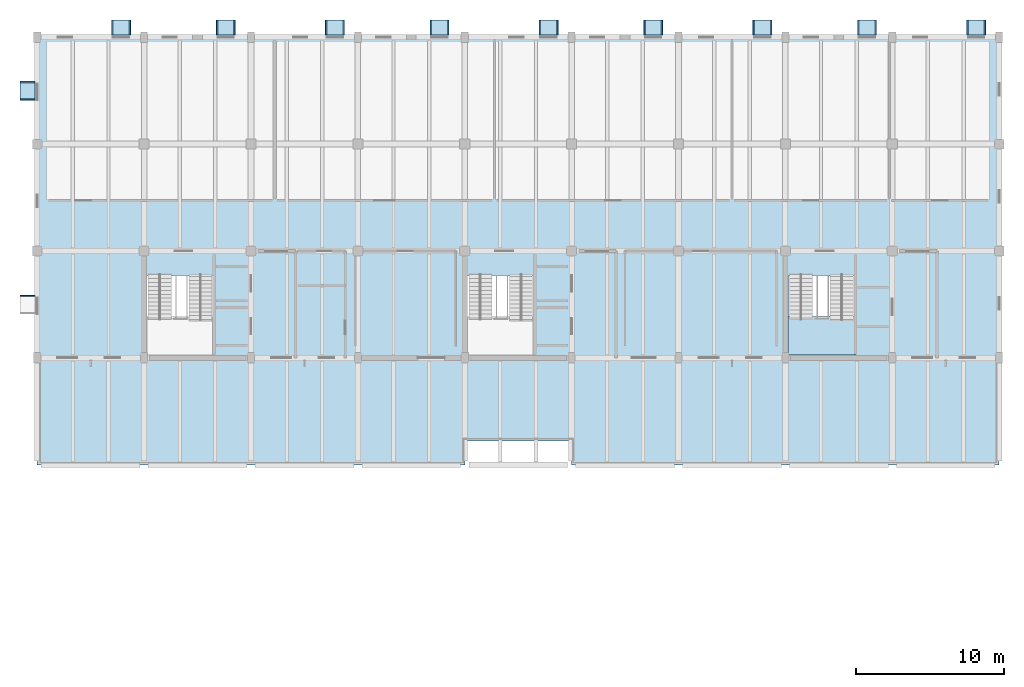
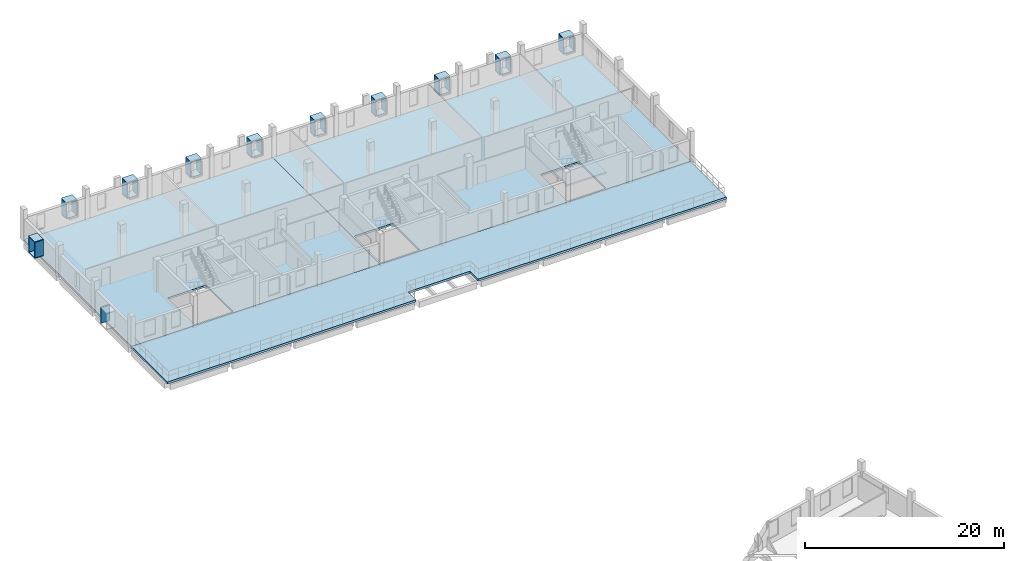
# One storey, part 5 of 14: 41 plates, 4 slabs, 1 element without a shape of its own.
"""IFC4 building model written with IfcOpenShell, lengths in metres."""

from ifc_helpers import new_model, si_unit, direction, frame, origin, origin_2d, place, context, subcontext, project, spatial, polyline, rectangle, outline, extrude, material, layer, layer_set, type_object, element, aggregate, save


model = new_model("IFC4")

# Units and contexts
model_context = context("Model", 3, precision=1e-05, world=origin(), true_north=direction((0.0, 1.0)))
body_context = subcontext(model_context, "Body", "Model", "MODEL_VIEW")
ifc_project = project(units=[si_unit("LENGTHUNIT", "METRE"), si_unit("AREAUNIT", "SQUARE_METRE"), si_unit("VOLUMEUNIT", "CUBIC_METRE"), si_unit("PLANEANGLEUNIT", "RADIAN"), si_unit("MASSUNIT", "GRAM", prefix="KILO")], contexts=[model_context])

# Site, building, storey
site_placement = place(None, origin())
site = spatial("IfcSite", under=ifc_project, at=site_placement, CompositionType="ELEMENT")
building_placement = place(site_placement, origin())
building = spatial("IfcBuilding", under=site, at=building_placement, Name="Qiaolan Assembly House", CompositionType="ELEMENT")
storey_placement = place(building_placement, frame((0.0, 0.0, 22.5)))
storey = spatial("IfcBuildingStorey", under=building, at=storey_placement, Name="L05", CompositionType="ELEMENT", Elevation=22.5)

# Plates
ifc_material_1 = material(Name="Honed pale limestone", Category="masonry")
ifc_layer_1 = layer(ifc_material_1, 0.0849609375)
ifc_layer_set_1 = layer_set([ifc_layer_1], Name="Honed pale limestone")
plate_type_1 = type_object("IfcPlateType", Name="PLT-WINBOX-CHEEK", PredefinedType="SHEET", material=ifc_layer_set_1)
for number, where, z_axis, x_axis, name in (
    (1, (41.0576171875, 115.860107421875, 0.7001953125), (0.0, 0.0, 1.0), (1.0, 0.0, 0.0), "WB-02 projecting window-box left cheek NWN-L05-00-0"),
    (2, (42.242431640625, 115.860107421875, 0.7001953125), (0.0, 0.0, 1.0), (1.0, 0.0, 0.0), "WB-02 projecting window-box right cheek NWN-L05-00-0"),
    (3, (48.107421875, 115.860107421875, 0.7001953125), (0.0, 0.0, 1.0), (1.0, 0.0, 0.0), "WB-02 projecting window-box left cheek NWN-L05-01-0"),
    (4, (49.29248046875, 115.860107421875, 0.7001953125), (0.0, 0.0, 1.0), (1.0, 0.0, 0.0), "WB-02 projecting window-box right cheek NWN-L05-01-0"),
    (5, (55.45751953125, 115.860107421875, 0.7001953125), (0.0, 0.0, 1.0), (1.0, 0.0, 0.0), "WB-02 projecting window-box left cheek NWN-L05-02-0"),
    (6, (56.642578125, 115.860107421875, 0.7001953125), (0.0, 0.0, 1.0), (1.0, 0.0, 0.0), "WB-02 projecting window-box right cheek NWN-L05-02-0"),
    (7, (62.507568359375, 115.860107421875, 0.7001953125), (0.0, 0.0, 1.0), (1.0, 0.0, 0.0), "WB-02 projecting window-box left cheek NWN-L05-03-0"),
    (8, (63.6923828125, 115.860107421875, 0.7001953125), (0.0, 0.0, 1.0), (1.0, 0.0, 0.0), "WB-02 projecting window-box right cheek NWN-L05-03-0"),
    (9, (69.857421875, 115.860107421875, 0.7001953125), (0.0, 0.0, 1.0), (1.0, 0.0, 0.0), "WB-02 projecting window-box left cheek NWN-L05-04-0"),
    (10, (71.04248046875, 115.860107421875, 0.7001953125), (0.0, 0.0, 1.0), (1.0, 0.0, 0.0), "WB-02 projecting window-box right cheek NWN-L05-04-0"),
    (11, (76.907470703125, 115.860107421875, 0.7001953125), (0.0, 0.0, 1.0), (1.0, 0.0, 0.0), "WB-02 projecting window-box left cheek NWN-L05-05-0"),
    (12, (78.092529296875, 115.860107421875, 0.7001953125), (0.0, 0.0, 1.0), (1.0, 0.0, 0.0), "WB-02 projecting window-box right cheek NWN-L05-05-0"),
    (13, (84.257568359375, 115.860107421875, 0.7001953125), (0.0, 0.0, 1.0), (1.0, 0.0, 0.0), "WB-02 projecting window-box left cheek NWN-L05-06-0"),
    (14, (85.4423828125, 115.860107421875, 0.7001953125), (0.0, 0.0, 1.0), (1.0, 0.0, 0.0), "WB-02 projecting window-box right cheek NWN-L05-06-0"),
    (15, (91.3076171875, 115.860107421875, 0.7001953125), (0.0, 0.0, 1.0), (1.0, 0.0, 0.0), "WB-02 projecting window-box left cheek NWN-L05-07-0"),
    (16, (92.492431640625, 115.860107421875, 0.7001953125), (0.0, 0.0, 1.0), (1.0, 0.0, 0.0), "WB-02 projecting window-box right cheek NWN-L05-07-0"),
    (17, (98.657470703125, 115.860107421875, 0.7001953125), (0.0, 0.0, 1.0), (1.0, 0.0, 0.0), "WB-02 projecting window-box left cheek NWN-L05-08-0"),
    (18, (99.842529296875, 115.860107421875, 0.7001953125), (0.0, 0.0, 1.0), (1.0, 0.0, 0.0), "WB-02 projecting window-box right cheek NWN-L05-08-0"),
):
    element("IfcPlate", number, at=place(storey_placement, frame(where, z_axis=z_axis, x_axis=x_axis)), inside=storey, type_object=plate_type_1, Name=name, PredefinedType="SHEET", context=body_context, shape_type="SweptSolid", body=[
        extrude(rectangle(XDim=0.0849609375, YDim=1.0, at=origin_2d()), origin(), (0.0, 0.0, 1.0), 1.840087890625),
    ])
for number, where, z_axis, x_axis, name in (
    (19, (35.340087890625, 97.79248046875, 0.7001953125), (0.0, 0.0, 1.0), (1.0, 0.0, 0.0), "WB-02 projecting window-box right cheek NWW-L05-00"),
    (20, (35.340087890625, 111.007568359375, 0.7001953125), (0.0, 0.0, 1.0), (1.0, 0.0, 0.0), "WB-02 projecting window-box left cheek NWW-L05-02"),
    (21, (35.340087890625, 112.1923828125, 0.7001953125), (0.0, 0.0, 1.0), (1.0, 0.0, 0.0), "WB-02 projecting window-box right cheek NWW-L05-02"),
):
    element("IfcPlate", number, at=place(storey_placement, frame(where, z_axis=z_axis, x_axis=x_axis)), inside=storey, type_object=plate_type_1, Name=name, PredefinedType="SHEET", context=body_context, shape_type="SweptSolid", body=[
        extrude(rectangle(XDim=1.0, YDim=0.0849609375, at=origin_2d()), origin(), (0.0, 0.0, 1.0), 1.889892578125),
    ])
ifc_layer_2 = layer(ifc_material_1, 0.080078125)
ifc_layer_set_2 = layer_set([ifc_layer_2], Name="Honed pale limestone")
plate_type_2 = type_object("IfcPlateType", Name="PLT-WINBOX-SURROUND", PredefinedType="SHEET", material=ifc_layer_set_2)
plate_1_placement = place(storey_placement, frame((0.0, 0.0, 0.6201171875)))
element("IfcPlate", 22, at=plate_1_placement, inside=storey, type_object=plate_type_2, Name="WB-01 projecting limestone window-box sill NWN-L05-00-0", PredefinedType="SHEET", context=body_context, shape_type="SweptSolid", body=[
    extrude(outline(polyline([(41.014892578125, 115.360107421875), (41.014892578125, 116.360107421875), (42.284912109375, 116.360107421875), (42.284912109375, 115.360107421875), (41.014892578125, 115.360107421875)])), origin(), (0.0, 0.0, 1.0), 0.079833984375),
])
plate_2_placement = place(storey_placement, frame((0.0, 0.0, 2.5400390625)))
element("IfcPlate", 23, at=plate_2_placement, inside=storey, type_object=plate_type_2, Name="WB-01 projecting limestone window-box hood NWN-L05-00-0", PredefinedType="SHEET", context=body_context, shape_type="SweptSolid", body=[
    extrude(outline(polyline([(41.014892578125, 115.360107421875), (41.014892578125, 116.360107421875), (42.284912109375, 116.360107421875), (42.284912109375, 115.360107421875), (41.014892578125, 115.360107421875)])), origin(), (0.0, 0.0, 1.0), 0.080078125),
])
plate_3_placement = place(storey_placement, frame((0.0, 0.0, 0.6201171875)))
element("IfcPlate", 24, at=plate_3_placement, inside=storey, type_object=plate_type_2, Name="WB-01 projecting limestone window-box sill NWN-L05-01-0", PredefinedType="SHEET", context=body_context, shape_type="SweptSolid", body=[
    extrude(outline(polyline([(48.06494140625, 115.360107421875), (48.06494140625, 116.360107421875), (49.3349609375, 116.360107421875), (49.3349609375, 115.360107421875), (48.06494140625, 115.360107421875)])), origin(), (0.0, 0.0, 1.0), 0.079833984375),
])
plate_4_placement = place(storey_placement, frame((0.0, 0.0, 2.5400390625)))
element("IfcPlate", 25, at=plate_4_placement, inside=storey, type_object=plate_type_2, Name="WB-01 projecting limestone window-box hood NWN-L05-01-0", PredefinedType="SHEET", context=body_context, shape_type="SweptSolid", body=[
    extrude(outline(polyline([(48.06494140625, 115.360107421875), (48.06494140625, 116.360107421875), (49.3349609375, 116.360107421875), (49.3349609375, 115.360107421875), (48.06494140625, 115.360107421875)])), origin(), (0.0, 0.0, 1.0), 0.080078125),
])
plate_5_placement = place(storey_placement, frame((0.0, 0.0, 0.6201171875)))
element("IfcPlate", 26, at=plate_5_placement, inside=storey, type_object=plate_type_2, Name="WB-01 projecting limestone window-box sill NWN-L05-02-0", PredefinedType="SHEET", context=body_context, shape_type="SweptSolid", body=[
    extrude(outline(polyline([(55.4150390625, 115.360107421875), (55.4150390625, 116.360107421875), (56.68505859375, 116.360107421875), (56.68505859375, 115.360107421875), (55.4150390625, 115.360107421875)])), origin(), (0.0, 0.0, 1.0), 0.079833984375),
])
plate_6_placement = place(storey_placement, frame((0.0, 0.0, 2.5400390625)))
element("IfcPlate", 27, at=plate_6_placement, inside=storey, type_object=plate_type_2, Name="WB-01 projecting limestone window-box hood NWN-L05-02-0", PredefinedType="SHEET", context=body_context, shape_type="SweptSolid", body=[
    extrude(outline(polyline([(55.4150390625, 115.360107421875), (55.4150390625, 116.360107421875), (56.68505859375, 116.360107421875), (56.68505859375, 115.360107421875), (55.4150390625, 115.360107421875)])), origin(), (0.0, 0.0, 1.0), 0.080078125),
])
plate_7_placement = place(storey_placement, frame((0.0, 0.0, 0.6201171875)))
element("IfcPlate", 28, at=plate_7_placement, inside=storey, type_object=plate_type_2, Name="WB-01 projecting limestone window-box sill NWN-L05-03-0", PredefinedType="SHEET", context=body_context, shape_type="SweptSolid", body=[
    extrude(outline(polyline([(62.465087890625, 115.360107421875), (62.465087890625, 116.360107421875), (63.735107421875, 116.360107421875), (63.735107421875, 115.360107421875), (62.465087890625, 115.360107421875)])), origin(), (0.0, 0.0, 1.0), 0.079833984375),
])
plate_8_placement = place(storey_placement, frame((0.0, 0.0, 2.5400390625)))
element("IfcPlate", 29, at=plate_8_placement, inside=storey, type_object=plate_type_2, Name="WB-01 projecting limestone window-box hood NWN-L05-03-0", PredefinedType="SHEET", context=body_context, shape_type="SweptSolid", body=[
    extrude(outline(polyline([(62.465087890625, 115.360107421875), (62.465087890625, 116.360107421875), (63.735107421875, 116.360107421875), (63.735107421875, 115.360107421875), (62.465087890625, 115.360107421875)])), origin(), (0.0, 0.0, 1.0), 0.080078125),
])
plate_9_placement = place(storey_placement, frame((0.0, 0.0, 0.6201171875)))
element("IfcPlate", 30, at=plate_9_placement, inside=storey, type_object=plate_type_2, Name="WB-01 projecting limestone window-box sill NWN-L05-04-0", PredefinedType="SHEET", context=body_context, shape_type="SweptSolid", body=[
    extrude(outline(polyline([(69.81494140625, 115.360107421875), (69.81494140625, 116.360107421875), (71.0849609375, 116.360107421875), (71.0849609375, 115.360107421875), (69.81494140625, 115.360107421875)])), origin(), (0.0, 0.0, 1.0), 0.079833984375),
])
plate_10_placement = place(storey_placement, frame((0.0, 0.0, 2.5400390625)))
element("IfcPlate", 31, at=plate_10_placement, inside=storey, type_object=plate_type_2, Name="WB-01 projecting limestone window-box hood NWN-L05-04-0", PredefinedType="SHEET", context=body_context, shape_type="SweptSolid", body=[
    extrude(outline(polyline([(69.81494140625, 115.360107421875), (69.81494140625, 116.360107421875), (71.0849609375, 116.360107421875), (71.0849609375, 115.360107421875), (69.81494140625, 115.360107421875)])), origin(), (0.0, 0.0, 1.0), 0.080078125),
])
plate_11_placement = place(storey_placement, frame((0.0, 0.0, 0.6201171875)))
element("IfcPlate", 32, at=plate_11_placement, inside=storey, type_object=plate_type_2, Name="WB-01 projecting limestone window-box sill NWN-L05-05-0", PredefinedType="SHEET", context=body_context, shape_type="SweptSolid", body=[
    extrude(outline(polyline([(76.864990234375, 115.360107421875), (76.864990234375, 116.360107421875), (78.135009765625, 116.360107421875), (78.135009765625, 115.360107421875), (76.864990234375, 115.360107421875)])), origin(), (0.0, 0.0, 1.0), 0.079833984375),
])
plate_12_placement = place(storey_placement, frame((0.0, 0.0, 2.5400390625)))
element("IfcPlate", 33, at=plate_12_placement, inside=storey, type_object=plate_type_2, Name="WB-01 projecting limestone window-box hood NWN-L05-05-0", PredefinedType="SHEET", context=body_context, shape_type="SweptSolid", body=[
    extrude(outline(polyline([(76.864990234375, 115.360107421875), (76.864990234375, 116.360107421875), (78.135009765625, 116.360107421875), (78.135009765625, 115.360107421875), (76.864990234375, 115.360107421875)])), origin(), (0.0, 0.0, 1.0), 0.080078125),
])
plate_13_placement = place(storey_placement, frame((0.0, 0.0, 0.6201171875)))
element("IfcPlate", 34, at=plate_13_placement, inside=storey, type_object=plate_type_2, Name="WB-01 projecting limestone window-box sill NWN-L05-06-0", PredefinedType="SHEET", context=body_context, shape_type="SweptSolid", body=[
    extrude(outline(polyline([(84.215087890625, 115.360107421875), (84.215087890625, 116.360107421875), (85.485107421875, 116.360107421875), (85.485107421875, 115.360107421875), (84.215087890625, 115.360107421875)])), origin(), (0.0, 0.0, 1.0), 0.079833984375),
])
plate_14_placement = place(storey_placement, frame((0.0, 0.0, 2.5400390625)))
element("IfcPlate", 35, at=plate_14_placement, inside=storey, type_object=plate_type_2, Name="WB-01 projecting limestone window-box hood NWN-L05-06-0", PredefinedType="SHEET", context=body_context, shape_type="SweptSolid", body=[
    extrude(outline(polyline([(84.215087890625, 115.360107421875), (84.215087890625, 116.360107421875), (85.485107421875, 116.360107421875), (85.485107421875, 115.360107421875), (84.215087890625, 115.360107421875)])), origin(), (0.0, 0.0, 1.0), 0.080078125),
])
plate_15_placement = place(storey_placement, frame((0.0, 0.0, 0.6201171875)))
element("IfcPlate", 36, at=plate_15_placement, inside=storey, type_object=plate_type_2, Name="WB-01 projecting limestone window-box sill NWN-L05-07-0", PredefinedType="SHEET", context=body_context, shape_type="SweptSolid", body=[
    extrude(outline(polyline([(91.264892578125, 115.360107421875), (91.264892578125, 116.360107421875), (92.534912109375, 116.360107421875), (92.534912109375, 115.360107421875), (91.264892578125, 115.360107421875)])), origin(), (0.0, 0.0, 1.0), 0.079833984375),
])
plate_16_placement = place(storey_placement, frame((0.0, 0.0, 2.5400390625)))
element("IfcPlate", 37, at=plate_16_placement, inside=storey, type_object=plate_type_2, Name="WB-01 projecting limestone window-box hood NWN-L05-07-0", PredefinedType="SHEET", context=body_context, shape_type="SweptSolid", body=[
    extrude(outline(polyline([(91.264892578125, 115.360107421875), (91.264892578125, 116.360107421875), (92.534912109375, 116.360107421875), (92.534912109375, 115.360107421875), (91.264892578125, 115.360107421875)])), origin(), (0.0, 0.0, 1.0), 0.080078125),
])
plate_17_placement = place(storey_placement, frame((0.0, 0.0, 0.6201171875)))
element("IfcPlate", 38, at=plate_17_placement, inside=storey, type_object=plate_type_2, Name="WB-01 projecting limestone window-box sill NWN-L05-08-0", PredefinedType="SHEET", context=body_context, shape_type="SweptSolid", body=[
    extrude(outline(polyline([(98.614990234375, 115.360107421875), (98.614990234375, 116.360107421875), (99.885009765625, 116.360107421875), (99.885009765625, 115.360107421875), (98.614990234375, 115.360107421875)])), origin(), (0.0, 0.0, 1.0), 0.079833984375),
])
plate_18_placement = place(storey_placement, frame((0.0, 0.0, 2.5400390625)))
element("IfcPlate", 39, at=plate_18_placement, inside=storey, type_object=plate_type_2, Name="WB-01 projecting limestone window-box hood NWN-L05-08-0", PredefinedType="SHEET", context=body_context, shape_type="SweptSolid", body=[
    extrude(outline(polyline([(98.614990234375, 115.360107421875), (98.614990234375, 116.360107421875), (99.885009765625, 116.360107421875), (99.885009765625, 115.360107421875), (98.614990234375, 115.360107421875)])), origin(), (0.0, 0.0, 1.0), 0.080078125),
])
for number, where, name in (
    (40, (0.0, 0.0, 0.6201171875), "WB-01 projecting limestone window-box sill NWW-L05-02"),
    (41, (0.0, 0.0, 2.590087890625), "WB-01 projecting limestone window-box hood NWW-L05-02"),
):
    element("IfcPlate", number, at=place(storey_placement, frame(where)), inside=storey, type_object=plate_type_2, Name=name, PredefinedType="SHEET", context=body_context, shape_type="SweptSolid", body=[
        extrude(outline(polyline([(34.840087890625, 110.965087890625), (34.840087890625, 112.235107421875), (35.840087890625, 112.235107421875), (35.840087890625, 110.965087890625), (34.840087890625, 110.965087890625)])), origin(), (0.0, 0.0, 1.0), 0.079833984375),
    ])

# Stair, slab
ifc_material_2 = material(Name="Concrete C40/50", Category="concrete")
stair_type = type_object("IfcStairType", Name="STR-UPPER-390", PredefinedType="HALF_TURN_STAIR", material=ifc_material_2)
stair_placement = place(storey_placement, origin())
stair = element("IfcStair", 42, at=stair_placement, inside=storey, type_object=stair_type, Name="ST-08 enclosed egress stair CORE-G L05", PredefinedType="HALF_TURN_STAIR")
ifc_layer_3 = layer(ifc_material_2, 0.199951171875)
ifc_layer_set_3 = layer_set([ifc_layer_3], Name="Concrete C40/50")
slab_type_1 = type_object("IfcSlabType", Name="SLB-LANDING-200", PredefinedType="LANDING", material=ifc_layer_set_3)
slab_1_placement = place(storey_placement, frame((0.0, 0.0, 1.75)))
slab_1 = element("IfcSlab", 43, at=slab_1_placement, type_object=slab_type_1, Name="Stair landing LND-CORE-G-L05-HL", PredefinedType="LANDING", context=body_context, shape_type="SweptSolid", body=[
    extrude(outline(polyline([(86.580078125, 93.780029296875), (86.580078125, 96.375), (91.1201171875, 96.375), (91.1201171875, 93.780029296875), (86.580078125, 93.780029296875)])), origin(), (0.0, 0.0, 1.0), 0.199951171875),
])
aggregate(stair, [slab_1])

# Slabs
ifc_layer_4 = layer(ifc_material_2, 0.22998046875)
ifc_layer_set_4 = layer_set([ifc_layer_4], Name="Concrete C40/50")
slab_type_2 = type_object("IfcSlabType", Name="SLB-NW-FLOOR-230", PredefinedType="FLOOR", material=ifc_layer_set_4)
slab_2_placement = place(storey_placement, frame((0.0, 0.0, -0.22998046875)))
element("IfcSlab", 44, at=slab_2_placement, inside=storey, type_object=slab_type_2, Name="FS-06 North-West Wing West Plate L05", PredefinedType="FLOOR", context=body_context, shape_type="SweptSolid", body=[
    extrude(outline(polyline([(36.0, 93.60009765625), (64.800048828125, 93.60009765625), (64.800048828125, 115.199951171875), (36.0, 115.199951171875), (36.0, 93.60009765625)]), holes=[polyline([(43.39990234375, 93.800048828125), (43.39990234375, 99.14990234375), (47.8798828125, 99.14990234375), (47.8798828125, 93.800048828125), (43.39990234375, 93.800048828125)])]), origin(), (0.0, 0.0, 1.0), 0.22998046875),
])
slab_3_placement = place(storey_placement, frame((0.0, 0.0, -0.22998046875)))
element("IfcSlab", 45, at=slab_3_placement, inside=storey, type_object=slab_type_2, Name="FS-06 North-West Wing East Plate L05", PredefinedType="FLOOR", context=body_context, shape_type="SweptSolid", body=[
    extrude(outline(polyline([(64.800048828125, 93.60009765625), (100.800048828125, 93.60009765625), (100.800048828125, 115.199951171875), (64.800048828125, 115.199951171875), (64.800048828125, 93.60009765625)]), holes=[polyline([(65.0, 93.800048828125), (65.0, 99.14990234375), (69.47998046875, 99.14990234375), (69.47998046875, 93.800048828125), (65.0, 93.800048828125)]), polyline([(86.60009765625, 93.800048828125), (86.60009765625, 99.14990234375), (91.080078125, 99.14990234375), (91.080078125, 93.800048828125), (86.60009765625, 93.800048828125)])]), origin(), (0.0, 0.0, 1.0), 0.22998046875),
])
ifc_layer_5 = layer(ifc_material_2, 0.260009765625)
ifc_layer_set_5 = layer_set([ifc_layer_5], Name="Concrete C40/50")
slab_type_3 = type_object("IfcSlabType", Name="SLB-TERR-260", PredefinedType="ROOF", material=ifc_layer_set_5)
slab_4_placement = place(storey_placement, frame((0.0, 0.0, -0.260009765625)))
element("IfcSlab", 46, at=slab_4_placement, inside=storey, type_object=slab_type_3, Name="FS-09 L05 South Court Setback Terrace Slab", PredefinedType="ROOF", context=body_context, shape_type="SweptSolid", body=[
    extrude(outline(polyline([(36.0, 86.39990234375), (64.800048828125, 86.39990234375), (64.800048828125, 88.0), (72.0, 88.0), (72.0, 86.39990234375), (100.800048828125, 86.39990234375), (100.800048828125, 93.60009765625), (36.0, 93.60009765625), (36.0, 86.39990234375)])), origin(), (0.0, 0.0, 1.0), 0.260009765625),
])

save(model, "model.ifc")
